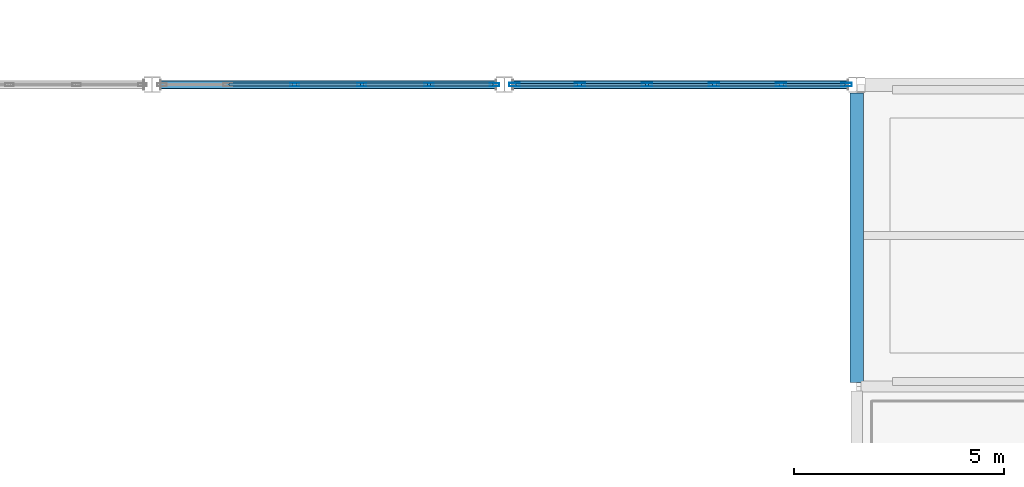
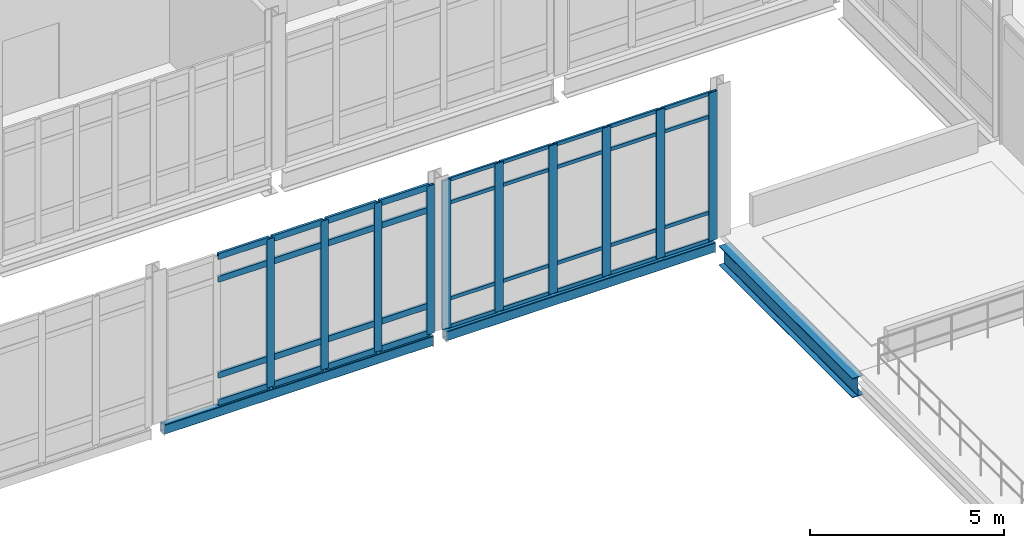
# One storey, part 25 of 186: 46 members, 3 beams, 2 elements without a shape of their own.
"""IFC4 building model written with IfcOpenShell, lengths in metres."""

from ifc_helpers import new_model, si_unit, direction, frame, origin, origin_2d, place, context, subcontext, project, spatial, hollow_rectangle, i_section, extrude, material, layer, layer_set, material_profile, profile_set, type_object, element, aggregate, save


model = new_model("IFC4")

# Units and contexts
model_context = context("Model", 3, precision=1e-05, world=origin(), true_north=direction((0.0, 1.0)))
body_context = subcontext(model_context, "Body", "Model", "MODEL_VIEW")
ifc_project = project(units=[si_unit("LENGTHUNIT", "METRE"), si_unit("AREAUNIT", "SQUARE_METRE"), si_unit("VOLUMEUNIT", "CUBIC_METRE"), si_unit("PLANEANGLEUNIT", "RADIAN"), si_unit("MASSUNIT", "GRAM", prefix="KILO")], contexts=[model_context])

# Site, building, storey
site_placement = place(None, origin())
site = spatial("IfcSite", under=ifc_project, at=site_placement, CompositionType="ELEMENT")
building_placement = place(site_placement, origin())
building = spatial("IfcBuilding", under=site, at=building_placement, Name="Calvrana Isthmian Art Gallery", CompositionType="ELEMENT")
storey_placement = place(building_placement, frame((0.0, 0.0, 5.39990234375)))
storey = spatial("IfcBuildingStorey", under=building, at=storey_placement, Name="L01", CompositionType="ELEMENT", Elevation=5.39990234375)

# Beams
ifc_material_1 = material(Name="Steel ASTM A992 Gr 50", Category="steel")
ifc_material_profile_1 = material_profile(ifc_material_1, i_section(OverallWidth=0.324951171875, OverallDepth=0.612060546875, WebThickness=0.0126953125, FlangeThickness=0.01904296875, FilletRadius=0.02197265625, at=origin_2d()), Name="W24X104")
ifc_profile_set_1 = profile_set([ifc_material_profile_1], Name="Steel ASTM A992 Gr 50")
beam_type_1 = type_object("IfcBeamType", Name="BM-G-W24X104", PredefinedType="BEAM", material=ifc_profile_set_1)
beam_1_placement = place(storey_placement, frame((63.60009765625, 14.501708984375, -0.55078125), z_axis=(0.0, 1.0, 0.0), x_axis=(-1.0, 0.0, 0.0)))
element("IfcBeam", 1, at=beam_1_placement, inside=storey, type_object=beam_type_1, Name="Girder Y L01 09/C-D", PredefinedType="BEAM", context=body_context, shape_type="SweptSolid", body=[
    extrude(i_section(OverallWidth=0.324951171875, OverallDepth=0.612060546875, WebThickness=0.0126953125, FlangeThickness=0.01904296875, FilletRadius=0.02197265625, at=origin_2d()), origin(), (0.0, 0.0, 1.0), 6.895263671875),
])
ifc_material_2 = material(Name="Steel ASTM A500 Gr C", Category="steel")
ifc_material_profile_2 = material_profile(ifc_material_2, hollow_rectangle(XDim=0.203125, YDim=0.3046875, WallThickness=0.0126953125, OuterFilletRadius=0.02490234375, at=origin_2d()), Name="HSS305X203X12.7")
ifc_profile_set_2 = profile_set([ifc_material_profile_2], Name="Steel ASTM A500 Gr C")
beam_type_2 = type_object("IfcBeamType", Name="BM-SP-HSS305", PredefinedType="SPANDREL", material=ifc_profile_set_2)
beam_2_placement = place(storey_placement, frame((47.00048828125, 21.60009765625, -0.349853515625), z_axis=(1.0, 0.0, 0.0), x_axis=(0.0, 1.0, 0.0)))
element("IfcBeam", 2, at=beam_2_placement, inside=storey, type_object=beam_type_2, Name="Foyer double-height spandrel L01 07-08/D", PredefinedType="SPANDREL", context=body_context, shape_type="SweptSolid", body=[
    extrude(hollow_rectangle(XDim=0.203125, YDim=0.3046875, WallThickness=0.0126953125, OuterFilletRadius=0.02490234375, at=origin_2d()), origin(), (0.0, 0.0, 1.0), 8.0),
])
beam_3_placement = place(storey_placement, frame((55.3994140625, 21.60009765625, -0.349853515625), z_axis=(1.0, 0.0, 0.0), x_axis=(0.0, 1.0, 0.0)))
element("IfcBeam", 3, at=beam_3_placement, inside=storey, type_object=beam_type_2, Name="Foyer double-height spandrel L01 08-09/D", PredefinedType="SPANDREL", context=body_context, shape_type="SweptSolid", body=[
    extrude(hollow_rectangle(XDim=0.203125, YDim=0.3046875, WallThickness=0.0126953125, OuterFilletRadius=0.02490234375, at=origin_2d()), origin(), (0.0, 0.0, 1.0), 7.99853515625),
])

# Curtain wall, members
ifc_material_3 = material(Name="Anodized bronze aluminium 6063-T6", Category="aluminium")
ifc_layer = layer(ifc_material_3, 0.179931640625, Name="Anodized bronze aluminium 6063-T6")
ifc_layer_set = layer_set([ifc_layer], Name="Anodized bronze aluminium 6063-T6")
curtain_wall_type = type_object("IfcCurtainWallType", Name="CW-STICK-080X47", PredefinedType="NOTDEFINED", material=ifc_layer_set)
curtain_wall_1_placement = place(storey_placement, origin())
curtain_wall_1 = element("IfcCurtainWall", 4, at=curtain_wall_1_placement, inside=storey, type_object=curtain_wall_type, Name="Curtain wall CW-004", PredefinedType="NOTDEFINED")
ifc_material_profile_3 = material_profile(ifc_material_3, hollow_rectangle(XDim=0.074951171875, YDim=0.219970703125, WallThickness=0.0048828125, at=origin_2d()), Name="CWM75X220")
ifc_profile_set_3 = profile_set([ifc_material_profile_3], Name="Anodized bronze aluminium 6063-T6")
member_type_1 = type_object("IfcMemberType", Name="CWM-CWM75X220", PredefinedType="MULLION", material=ifc_profile_set_3)
member_1_placement = place(storey_placement, frame((54.964599609375, 21.60009765625, -0.14990234375), z_axis=(0.0, 0.0, 1.0), x_axis=(0.0, -1.0, 0.0)))
member_1 = element("IfcMember", 5, at=member_1_placement, type_object=member_type_1, Name="CW-004 mullion 1", PredefinedType="MULLION", context=body_context, shape_type="SweptSolid", body=[
    extrude(hollow_rectangle(XDim=0.074951171875, YDim=0.219970703125, WallThickness=0.0048828125, at=origin_2d()), origin(), (0.0, 0.0, 1.0), 4.669921875),
])
member_2_placement = place(storey_placement, frame((53.401611328125, 21.60009765625, -0.14990234375), z_axis=(0.0, 0.0, 1.0), x_axis=(0.0, -1.0, 0.0)))
member_2 = element("IfcMember", 6, at=member_2_placement, type_object=member_type_1, Name="CW-004 mullion 2", PredefinedType="MULLION", context=body_context, shape_type="SweptSolid", body=[
    extrude(hollow_rectangle(XDim=0.074951171875, YDim=0.219970703125, WallThickness=0.0048828125, at=origin_2d()), origin(), (0.0, 0.0, 1.0), 4.669921875),
])
member_3_placement = place(storey_placement, frame((51.801025390625, 21.60009765625, -0.14990234375), z_axis=(0.0, 0.0, 1.0), x_axis=(0.0, -1.0, 0.0)))
member_3 = element("IfcMember", 7, at=member_3_placement, type_object=member_type_1, Name="CW-004 mullion 3", PredefinedType="MULLION", context=body_context, shape_type="SweptSolid", body=[
    extrude(hollow_rectangle(XDim=0.074951171875, YDim=0.219970703125, WallThickness=0.0048828125, at=origin_2d()), origin(), (0.0, 0.0, 1.0), 4.669921875),
])
member_4_placement = place(storey_placement, frame((50.200439453125, 21.60009765625, -0.14990234375), z_axis=(0.0, 0.0, 1.0), x_axis=(0.0, -1.0, 0.0)))
member_4 = element("IfcMember", 8, at=member_4_placement, type_object=member_type_1, Name="CW-004 mullion 4", PredefinedType="MULLION", context=body_context, shape_type="SweptSolid", body=[
    extrude(hollow_rectangle(XDim=0.074951171875, YDim=0.219970703125, WallThickness=0.0048828125, at=origin_2d()), origin(), (0.0, 0.0, 1.0), 4.669921875),
])

curtain_wall_2_placement = place(storey_placement, origin())
curtain_wall_2 = element("IfcCurtainWall", 9, at=curtain_wall_2_placement, inside=storey, type_object=curtain_wall_type, Name="Curtain wall CW-005", PredefinedType="NOTDEFINED")
ifc_material_profile_4 = material_profile(ifc_material_3, hollow_rectangle(XDim=0.080078125, YDim=0.25, WallThickness=0.005615234375, at=origin_2d()), Name="CWM80X250")
ifc_profile_set_4 = profile_set([ifc_material_profile_4], Name="Anodized bronze aluminium 6063-T6")
member_type_2 = type_object("IfcMemberType", Name="CWM-CWM80X250", PredefinedType="MULLION", material=ifc_profile_set_4)
member_5_placement = place(storey_placement, frame((63.363037109375, 21.60009765625, -0.14990234375), z_axis=(0.0, 0.0, 1.0), x_axis=(0.0, -1.0, 0.0)))
member_5 = element("IfcMember", 10, at=member_5_placement, type_object=member_type_2, Name="CW-005 mullion 1", PredefinedType="MULLION", context=body_context, shape_type="SweptSolid", body=[
    extrude(hollow_rectangle(XDim=0.080078125, YDim=0.25, WallThickness=0.005615234375, at=origin_2d()), origin(), (0.0, 0.0, 1.0), 4.669921875),
])
member_6_placement = place(storey_placement, frame((61.802001953125, 21.60009765625, -0.14990234375), z_axis=(0.0, 0.0, 1.0), x_axis=(0.0, -1.0, 0.0)))
member_6 = element("IfcMember", 11, at=member_6_placement, type_object=member_type_2, Name="CW-005 mullion 2", PredefinedType="MULLION", context=body_context, shape_type="SweptSolid", body=[
    extrude(hollow_rectangle(XDim=0.080078125, YDim=0.25, WallThickness=0.005615234375, at=origin_2d()), origin(), (0.0, 0.0, 1.0), 4.669921875),
])
member_7_placement = place(storey_placement, frame((60.200927734375, 21.60009765625, -0.14990234375), z_axis=(0.0, 0.0, 1.0), x_axis=(0.0, -1.0, 0.0)))
member_7 = element("IfcMember", 12, at=member_7_placement, type_object=member_type_2, Name="CW-005 mullion 3", PredefinedType="MULLION", context=body_context, shape_type="SweptSolid", body=[
    extrude(hollow_rectangle(XDim=0.080078125, YDim=0.25, WallThickness=0.005615234375, at=origin_2d()), origin(), (0.0, 0.0, 1.0), 4.669921875),
])
member_8_placement = place(storey_placement, frame((58.60009765625, 21.60009765625, -0.14990234375), z_axis=(0.0, 0.0, 1.0), x_axis=(0.0, -1.0, 0.0)))
member_8 = element("IfcMember", 13, at=member_8_placement, type_object=member_type_2, Name="CW-005 mullion 4", PredefinedType="MULLION", context=body_context, shape_type="SweptSolid", body=[
    extrude(hollow_rectangle(XDim=0.080078125, YDim=0.25, WallThickness=0.005615234375, at=origin_2d()), origin(), (0.0, 0.0, 1.0), 4.669921875),
])
member_9_placement = place(storey_placement, frame((56.9990234375, 21.60009765625, -0.14990234375), z_axis=(0.0, 0.0, 1.0), x_axis=(0.0, -1.0, 0.0)))
member_9 = element("IfcMember", 14, at=member_9_placement, type_object=member_type_2, Name="CW-005 mullion 5", PredefinedType="MULLION", context=body_context, shape_type="SweptSolid", body=[
    extrude(hollow_rectangle(XDim=0.080078125, YDim=0.25, WallThickness=0.005615234375, at=origin_2d()), origin(), (0.0, 0.0, 1.0), 4.669921875),
])
member_10_placement = place(storey_placement, frame((55.43798828125, 21.60009765625, -0.14990234375), z_axis=(0.0, 0.0, 1.0), x_axis=(0.0, -1.0, 0.0)))
member_10 = element("IfcMember", 15, at=member_10_placement, type_object=member_type_2, Name="CW-005 mullion 6", PredefinedType="MULLION", context=body_context, shape_type="SweptSolid", body=[
    extrude(hollow_rectangle(XDim=0.080078125, YDim=0.25, WallThickness=0.005615234375, at=origin_2d()), origin(), (0.0, 0.0, 1.0), 4.669921875),
])
ifc_material_profile_5 = material_profile(ifc_material_3, hollow_rectangle(XDim=0.06005859375, YDim=0.110107421875, WallThickness=0.00341796875, at=origin_2d()), Name="CWT60X110")
ifc_profile_set_5 = profile_set([ifc_material_profile_5], Name="Anodized bronze aluminium 6063-T6")
member_type_3 = type_object("IfcMemberType", Name="CWT-CWT60X110", PredefinedType="USERDEFINED", material=ifc_profile_set_5)
member_11_placement = place(storey_placement, frame((63.322998046875, 21.60009765625, -0.119873046875), z_axis=(-1.0, 0.0, 0.0), x_axis=(0.0, -1.0, 0.0)))
member_11 = element("IfcMember", 16, at=member_11_placement, type_object=member_type_3, Name="CW-005 transom 1.1", ObjectType="TRANSOM", PredefinedType="USERDEFINED", context=body_context, shape_type="SweptSolid", body=[
    extrude(hollow_rectangle(XDim=0.06005859375, YDim=0.110107421875, WallThickness=0.00341796875, at=origin_2d()), origin(), (0.0, 0.0, 1.0), 1.48095703125),
])
member_12_placement = place(storey_placement, frame((63.322998046875, 21.60009765625, 0.75), z_axis=(-1.0, 0.0, 0.0), x_axis=(0.0, -1.0, 0.0)))
member_12 = element("IfcMember", 17, at=member_12_placement, type_object=member_type_3, Name="CW-005 transom 1.2", ObjectType="TRANSOM", PredefinedType="USERDEFINED", context=body_context, shape_type="SweptSolid", body=[
    extrude(hollow_rectangle(XDim=0.06005859375, YDim=0.110107421875, WallThickness=0.00341796875, at=origin_2d()), origin(), (0.0, 0.0, 1.0), 1.48095703125),
])
member_13_placement = place(storey_placement, frame((63.322998046875, 21.60009765625, 3.77001953125), z_axis=(-1.0, 0.0, 0.0), x_axis=(0.0, -1.0, 0.0)))
member_13 = element("IfcMember", 18, at=member_13_placement, type_object=member_type_3, Name="CW-005 transom 1.3", ObjectType="TRANSOM", PredefinedType="USERDEFINED", context=body_context, shape_type="SweptSolid", body=[
    extrude(hollow_rectangle(XDim=0.06005859375, YDim=0.110107421875, WallThickness=0.00341796875, at=origin_2d()), origin(), (0.0, 0.0, 1.0), 1.48095703125),
])
member_14_placement = place(storey_placement, frame((63.322998046875, 21.60009765625, 4.489990234375), z_axis=(-1.0, 0.0, 0.0), x_axis=(0.0, -1.0, 0.0)))
member_14 = element("IfcMember", 19, at=member_14_placement, type_object=member_type_3, Name="CW-005 transom 1.4", ObjectType="TRANSOM", PredefinedType="USERDEFINED", context=body_context, shape_type="SweptSolid", body=[
    extrude(hollow_rectangle(XDim=0.06005859375, YDim=0.110107421875, WallThickness=0.00341796875, at=origin_2d()), origin(), (0.0, 0.0, 1.0), 1.48095703125),
])
member_15_placement = place(storey_placement, frame((61.761962890625, 21.60009765625, -0.119873046875), z_axis=(-1.0, 0.0, 0.0), x_axis=(0.0, -1.0, 0.0)))
member_15 = element("IfcMember", 20, at=member_15_placement, type_object=member_type_3, Name="CW-005 transom 2.1", ObjectType="TRANSOM", PredefinedType="USERDEFINED", context=body_context, shape_type="SweptSolid", body=[
    extrude(hollow_rectangle(XDim=0.06005859375, YDim=0.110107421875, WallThickness=0.00341796875, at=origin_2d()), origin(), (0.0, 0.0, 1.0), 1.52099609375),
])
member_16_placement = place(storey_placement, frame((61.761962890625, 21.60009765625, 0.75), z_axis=(-1.0, 0.0, 0.0), x_axis=(0.0, -1.0, 0.0)))
member_16 = element("IfcMember", 21, at=member_16_placement, type_object=member_type_3, Name="CW-005 transom 2.2", ObjectType="TRANSOM", PredefinedType="USERDEFINED", context=body_context, shape_type="SweptSolid", body=[
    extrude(hollow_rectangle(XDim=0.06005859375, YDim=0.110107421875, WallThickness=0.00341796875, at=origin_2d()), origin(), (0.0, 0.0, 1.0), 1.52099609375),
])
member_17_placement = place(storey_placement, frame((61.761962890625, 21.60009765625, 3.77001953125), z_axis=(-1.0, 0.0, 0.0), x_axis=(0.0, -1.0, 0.0)))
member_17 = element("IfcMember", 22, at=member_17_placement, type_object=member_type_3, Name="CW-005 transom 2.3", ObjectType="TRANSOM", PredefinedType="USERDEFINED", context=body_context, shape_type="SweptSolid", body=[
    extrude(hollow_rectangle(XDim=0.06005859375, YDim=0.110107421875, WallThickness=0.00341796875, at=origin_2d()), origin(), (0.0, 0.0, 1.0), 1.52099609375),
])
member_18_placement = place(storey_placement, frame((61.761962890625, 21.60009765625, 4.489990234375), z_axis=(-1.0, 0.0, 0.0), x_axis=(0.0, -1.0, 0.0)))
member_18 = element("IfcMember", 23, at=member_18_placement, type_object=member_type_3, Name="CW-005 transom 2.4", ObjectType="TRANSOM", PredefinedType="USERDEFINED", context=body_context, shape_type="SweptSolid", body=[
    extrude(hollow_rectangle(XDim=0.06005859375, YDim=0.110107421875, WallThickness=0.00341796875, at=origin_2d()), origin(), (0.0, 0.0, 1.0), 1.52099609375),
])
member_19_placement = place(storey_placement, frame((60.160888671875, 21.60009765625, -0.119873046875), z_axis=(-1.0, 0.0, 0.0), x_axis=(0.0, -1.0, 0.0)))
member_19 = element("IfcMember", 24, at=member_19_placement, type_object=member_type_3, Name="CW-005 transom 3.1", ObjectType="TRANSOM", PredefinedType="USERDEFINED", context=body_context, shape_type="SweptSolid", body=[
    extrude(hollow_rectangle(XDim=0.06005859375, YDim=0.110107421875, WallThickness=0.00341796875, at=origin_2d()), origin(), (0.0, 0.0, 1.0), 1.52099609375),
])
member_20_placement = place(storey_placement, frame((60.160888671875, 21.60009765625, 0.75), z_axis=(-1.0, 0.0, 0.0), x_axis=(0.0, -1.0, 0.0)))
member_20 = element("IfcMember", 25, at=member_20_placement, type_object=member_type_3, Name="CW-005 transom 3.2", ObjectType="TRANSOM", PredefinedType="USERDEFINED", context=body_context, shape_type="SweptSolid", body=[
    extrude(hollow_rectangle(XDim=0.06005859375, YDim=0.110107421875, WallThickness=0.00341796875, at=origin_2d()), origin(), (0.0, 0.0, 1.0), 1.52099609375),
])
member_21_placement = place(storey_placement, frame((60.160888671875, 21.60009765625, 3.77001953125), z_axis=(-1.0, 0.0, 0.0), x_axis=(0.0, -1.0, 0.0)))
member_21 = element("IfcMember", 26, at=member_21_placement, type_object=member_type_3, Name="CW-005 transom 3.3", ObjectType="TRANSOM", PredefinedType="USERDEFINED", context=body_context, shape_type="SweptSolid", body=[
    extrude(hollow_rectangle(XDim=0.06005859375, YDim=0.110107421875, WallThickness=0.00341796875, at=origin_2d()), origin(), (0.0, 0.0, 1.0), 1.52099609375),
])
member_22_placement = place(storey_placement, frame((60.160888671875, 21.60009765625, 4.489990234375), z_axis=(-1.0, 0.0, 0.0), x_axis=(0.0, -1.0, 0.0)))
member_22 = element("IfcMember", 27, at=member_22_placement, type_object=member_type_3, Name="CW-005 transom 3.4", ObjectType="TRANSOM", PredefinedType="USERDEFINED", context=body_context, shape_type="SweptSolid", body=[
    extrude(hollow_rectangle(XDim=0.06005859375, YDim=0.110107421875, WallThickness=0.00341796875, at=origin_2d()), origin(), (0.0, 0.0, 1.0), 1.52099609375),
])
member_23_placement = place(storey_placement, frame((58.56005859375, 21.60009765625, -0.119873046875), z_axis=(-1.0, 0.0, 0.0), x_axis=(0.0, -1.0, 0.0)))
member_23 = element("IfcMember", 28, at=member_23_placement, type_object=member_type_3, Name="CW-005 transom 4.1", ObjectType="TRANSOM", PredefinedType="USERDEFINED", context=body_context, shape_type="SweptSolid", body=[
    extrude(hollow_rectangle(XDim=0.06005859375, YDim=0.110107421875, WallThickness=0.00341796875, at=origin_2d()), origin(), (0.0, 0.0, 1.0), 1.52099609375),
])
member_24_placement = place(storey_placement, frame((58.56005859375, 21.60009765625, 0.75), z_axis=(-1.0, 0.0, 0.0), x_axis=(0.0, -1.0, 0.0)))
member_24 = element("IfcMember", 29, at=member_24_placement, type_object=member_type_3, Name="CW-005 transom 4.2", ObjectType="TRANSOM", PredefinedType="USERDEFINED", context=body_context, shape_type="SweptSolid", body=[
    extrude(hollow_rectangle(XDim=0.06005859375, YDim=0.110107421875, WallThickness=0.00341796875, at=origin_2d()), origin(), (0.0, 0.0, 1.0), 1.52099609375),
])
member_25_placement = place(storey_placement, frame((58.56005859375, 21.60009765625, 3.77001953125), z_axis=(-1.0, 0.0, 0.0), x_axis=(0.0, -1.0, 0.0)))
member_25 = element("IfcMember", 30, at=member_25_placement, type_object=member_type_3, Name="CW-005 transom 4.3", ObjectType="TRANSOM", PredefinedType="USERDEFINED", context=body_context, shape_type="SweptSolid", body=[
    extrude(hollow_rectangle(XDim=0.06005859375, YDim=0.110107421875, WallThickness=0.00341796875, at=origin_2d()), origin(), (0.0, 0.0, 1.0), 1.52099609375),
])
member_26_placement = place(storey_placement, frame((58.56005859375, 21.60009765625, 4.489990234375), z_axis=(-1.0, 0.0, 0.0), x_axis=(0.0, -1.0, 0.0)))
member_26 = element("IfcMember", 31, at=member_26_placement, type_object=member_type_3, Name="CW-005 transom 4.4", ObjectType="TRANSOM", PredefinedType="USERDEFINED", context=body_context, shape_type="SweptSolid", body=[
    extrude(hollow_rectangle(XDim=0.06005859375, YDim=0.110107421875, WallThickness=0.00341796875, at=origin_2d()), origin(), (0.0, 0.0, 1.0), 1.52099609375),
])
member_27_placement = place(storey_placement, frame((56.958984375, 21.60009765625, -0.119873046875), z_axis=(-1.0, 0.0, 0.0), x_axis=(0.0, -1.0, 0.0)))
member_27 = element("IfcMember", 32, at=member_27_placement, type_object=member_type_3, Name="CW-005 transom 5.1", ObjectType="TRANSOM", PredefinedType="USERDEFINED", context=body_context, shape_type="SweptSolid", body=[
    extrude(hollow_rectangle(XDim=0.06005859375, YDim=0.110107421875, WallThickness=0.00341796875, at=origin_2d()), origin(), (0.0, 0.0, 1.0), 1.48095703125),
])
member_28_placement = place(storey_placement, frame((56.958984375, 21.60009765625, 0.75), z_axis=(-1.0, 0.0, 0.0), x_axis=(0.0, -1.0, 0.0)))
member_28 = element("IfcMember", 33, at=member_28_placement, type_object=member_type_3, Name="CW-005 transom 5.2", ObjectType="TRANSOM", PredefinedType="USERDEFINED", context=body_context, shape_type="SweptSolid", body=[
    extrude(hollow_rectangle(XDim=0.06005859375, YDim=0.110107421875, WallThickness=0.00341796875, at=origin_2d()), origin(), (0.0, 0.0, 1.0), 1.48095703125),
])
member_29_placement = place(storey_placement, frame((56.958984375, 21.60009765625, 3.77001953125), z_axis=(-1.0, 0.0, 0.0), x_axis=(0.0, -1.0, 0.0)))
member_29 = element("IfcMember", 34, at=member_29_placement, type_object=member_type_3, Name="CW-005 transom 5.3", ObjectType="TRANSOM", PredefinedType="USERDEFINED", context=body_context, shape_type="SweptSolid", body=[
    extrude(hollow_rectangle(XDim=0.06005859375, YDim=0.110107421875, WallThickness=0.00341796875, at=origin_2d()), origin(), (0.0, 0.0, 1.0), 1.48095703125),
])
member_30_placement = place(storey_placement, frame((56.958984375, 21.60009765625, 4.489990234375), z_axis=(-1.0, 0.0, 0.0), x_axis=(0.0, -1.0, 0.0)))
member_30 = element("IfcMember", 35, at=member_30_placement, type_object=member_type_3, Name="CW-005 transom 5.4", ObjectType="TRANSOM", PredefinedType="USERDEFINED", context=body_context, shape_type="SweptSolid", body=[
    extrude(hollow_rectangle(XDim=0.06005859375, YDim=0.110107421875, WallThickness=0.00341796875, at=origin_2d()), origin(), (0.0, 0.0, 1.0), 1.48095703125),
])
aggregate(curtain_wall_2, [member_5, member_6, member_7, member_8, member_9, member_10, member_11, member_12, member_13, member_14, member_15, member_16, member_17, member_18, member_19, member_20, member_21, member_22, member_23, member_24, member_25, member_26, member_27, member_28, member_29, member_30])

# Member
ifc_material_profile_6 = material_profile(ifc_material_3, hollow_rectangle(XDim=0.074951171875, YDim=0.18994140625, WallThickness=0.00439453125, at=origin_2d()), Name="CWT75X190")
ifc_profile_set_6 = profile_set([ifc_material_profile_6], Name="Anodized bronze aluminium 6063-T6")
member_type_4 = type_object("IfcMemberType", Name="CWT-CWT75X190", PredefinedType="USERDEFINED", material=ifc_profile_set_6)
member_31_placement = place(storey_placement, frame((54.927001953125, 21.60009765625, -0.1123046875), z_axis=(-1.0, 0.0, 0.0), x_axis=(0.0, -1.0, 0.0)))
member_31 = element("IfcMember", 36, at=member_31_placement, type_object=member_type_4, Name="CW-004 transom 1.1", ObjectType="TRANSOM", PredefinedType="USERDEFINED", context=body_context, shape_type="SweptSolid", body=[
    extrude(hollow_rectangle(XDim=0.074951171875, YDim=0.18994140625, WallThickness=0.00439453125, at=origin_2d()), origin(), (0.0, 0.0, 1.0), 1.488037109375),
])

member_32_placement = place(storey_placement, frame((54.927001953125, 21.60009765625, 0.75), z_axis=(-1.0, 0.0, 0.0), x_axis=(0.0, -1.0, 0.0)))
member_32 = element("IfcMember", 37, at=member_32_placement, type_object=member_type_4, Name="CW-004 transom 1.2", ObjectType="TRANSOM", PredefinedType="USERDEFINED", context=body_context, shape_type="SweptSolid", body=[
    extrude(hollow_rectangle(XDim=0.074951171875, YDim=0.18994140625, WallThickness=0.00439453125, at=origin_2d()), origin(), (0.0, 0.0, 1.0), 1.488037109375),
])

member_33_placement = place(storey_placement, frame((54.927001953125, 21.60009765625, 3.77001953125), z_axis=(-1.0, 0.0, 0.0), x_axis=(0.0, -1.0, 0.0)))
member_33 = element("IfcMember", 38, at=member_33_placement, type_object=member_type_4, Name="CW-004 transom 1.3", ObjectType="TRANSOM", PredefinedType="USERDEFINED", context=body_context, shape_type="SweptSolid", body=[
    extrude(hollow_rectangle(XDim=0.074951171875, YDim=0.18994140625, WallThickness=0.00439453125, at=origin_2d()), origin(), (0.0, 0.0, 1.0), 1.488037109375),
])

member_34_placement = place(storey_placement, frame((54.927001953125, 21.60009765625, 4.482666015625), z_axis=(-1.0, 0.0, 0.0), x_axis=(0.0, -1.0, 0.0)))
member_34 = element("IfcMember", 39, at=member_34_placement, type_object=member_type_4, Name="CW-004 transom 1.4", ObjectType="TRANSOM", PredefinedType="USERDEFINED", context=body_context, shape_type="SweptSolid", body=[
    extrude(hollow_rectangle(XDim=0.074951171875, YDim=0.18994140625, WallThickness=0.00439453125, at=origin_2d()), origin(), (0.0, 0.0, 1.0), 1.488037109375),
])

member_35_placement = place(storey_placement, frame((53.364013671875, 21.60009765625, -0.1123046875), z_axis=(-1.0, 0.0, 0.0), x_axis=(0.0, -1.0, 0.0)))
member_35 = element("IfcMember", 40, at=member_35_placement, type_object=member_type_4, Name="CW-004 transom 2.1", ObjectType="TRANSOM", PredefinedType="USERDEFINED", context=body_context, shape_type="SweptSolid", body=[
    extrude(hollow_rectangle(XDim=0.074951171875, YDim=0.18994140625, WallThickness=0.00439453125, at=origin_2d()), origin(), (0.0, 0.0, 1.0), 1.525634765625),
])

member_36_placement = place(storey_placement, frame((53.364013671875, 21.60009765625, 0.75), z_axis=(-1.0, 0.0, 0.0), x_axis=(0.0, -1.0, 0.0)))
member_36 = element("IfcMember", 41, at=member_36_placement, type_object=member_type_4, Name="CW-004 transom 2.2", ObjectType="TRANSOM", PredefinedType="USERDEFINED", context=body_context, shape_type="SweptSolid", body=[
    extrude(hollow_rectangle(XDim=0.074951171875, YDim=0.18994140625, WallThickness=0.00439453125, at=origin_2d()), origin(), (0.0, 0.0, 1.0), 1.525634765625),
])

member_37_placement = place(storey_placement, frame((53.364013671875, 21.60009765625, 3.77001953125), z_axis=(-1.0, 0.0, 0.0), x_axis=(0.0, -1.0, 0.0)))
member_37 = element("IfcMember", 42, at=member_37_placement, type_object=member_type_4, Name="CW-004 transom 2.3", ObjectType="TRANSOM", PredefinedType="USERDEFINED", context=body_context, shape_type="SweptSolid", body=[
    extrude(hollow_rectangle(XDim=0.074951171875, YDim=0.18994140625, WallThickness=0.00439453125, at=origin_2d()), origin(), (0.0, 0.0, 1.0), 1.525634765625),
])

member_38_placement = place(storey_placement, frame((53.364013671875, 21.60009765625, 4.482666015625), z_axis=(-1.0, 0.0, 0.0), x_axis=(0.0, -1.0, 0.0)))
member_38 = element("IfcMember", 43, at=member_38_placement, type_object=member_type_4, Name="CW-004 transom 2.4", ObjectType="TRANSOM", PredefinedType="USERDEFINED", context=body_context, shape_type="SweptSolid", body=[
    extrude(hollow_rectangle(XDim=0.074951171875, YDim=0.18994140625, WallThickness=0.00439453125, at=origin_2d()), origin(), (0.0, 0.0, 1.0), 1.525634765625),
])

member_39_placement = place(storey_placement, frame((51.763427734375, 21.60009765625, -0.1123046875), z_axis=(-1.0, 0.0, 0.0), x_axis=(0.0, -1.0, 0.0)))
member_39 = element("IfcMember", 44, at=member_39_placement, type_object=member_type_4, Name="CW-004 transom 3.1", ObjectType="TRANSOM", PredefinedType="USERDEFINED", context=body_context, shape_type="SweptSolid", body=[
    extrude(hollow_rectangle(XDim=0.074951171875, YDim=0.18994140625, WallThickness=0.00439453125, at=origin_2d()), origin(), (0.0, 0.0, 1.0), 1.525390625),
])

member_40_placement = place(storey_placement, frame((51.763427734375, 21.60009765625, 0.75), z_axis=(-1.0, 0.0, 0.0), x_axis=(0.0, -1.0, 0.0)))
member_40 = element("IfcMember", 45, at=member_40_placement, type_object=member_type_4, Name="CW-004 transom 3.2", ObjectType="TRANSOM", PredefinedType="USERDEFINED", context=body_context, shape_type="SweptSolid", body=[
    extrude(hollow_rectangle(XDim=0.074951171875, YDim=0.18994140625, WallThickness=0.00439453125, at=origin_2d()), origin(), (0.0, 0.0, 1.0), 1.525390625),
])

member_41_placement = place(storey_placement, frame((51.763427734375, 21.60009765625, 3.77001953125), z_axis=(-1.0, 0.0, 0.0), x_axis=(0.0, -1.0, 0.0)))
member_41 = element("IfcMember", 46, at=member_41_placement, type_object=member_type_4, Name="CW-004 transom 3.3", ObjectType="TRANSOM", PredefinedType="USERDEFINED", context=body_context, shape_type="SweptSolid", body=[
    extrude(hollow_rectangle(XDim=0.074951171875, YDim=0.18994140625, WallThickness=0.00439453125, at=origin_2d()), origin(), (0.0, 0.0, 1.0), 1.525390625),
])

member_42_placement = place(storey_placement, frame((51.763427734375, 21.60009765625, 4.482666015625), z_axis=(-1.0, 0.0, 0.0), x_axis=(0.0, -1.0, 0.0)))
member_42 = element("IfcMember", 47, at=member_42_placement, type_object=member_type_4, Name="CW-004 transom 3.4", ObjectType="TRANSOM", PredefinedType="USERDEFINED", context=body_context, shape_type="SweptSolid", body=[
    extrude(hollow_rectangle(XDim=0.074951171875, YDim=0.18994140625, WallThickness=0.00439453125, at=origin_2d()), origin(), (0.0, 0.0, 1.0), 1.525390625),
])

member_43_placement = place(storey_placement, frame((50.1630859375, 21.60009765625, -0.1123046875), z_axis=(-1.0, 0.0, 0.0), x_axis=(0.0, -1.0, 0.0)))
member_43 = element("IfcMember", 48, at=member_43_placement, type_object=member_type_4, Name="CW-004 transom 4.1", ObjectType="TRANSOM", PredefinedType="USERDEFINED", context=body_context, shape_type="SweptSolid", body=[
    extrude(hollow_rectangle(XDim=0.074951171875, YDim=0.18994140625, WallThickness=0.00439453125, at=origin_2d()), origin(), (0.0, 0.0, 1.0), 1.525634765625),
])

member_44_placement = place(storey_placement, frame((50.1630859375, 21.60009765625, 0.75), z_axis=(-1.0, 0.0, 0.0), x_axis=(0.0, -1.0, 0.0)))
member_44 = element("IfcMember", 49, at=member_44_placement, type_object=member_type_4, Name="CW-004 transom 4.2", ObjectType="TRANSOM", PredefinedType="USERDEFINED", context=body_context, shape_type="SweptSolid", body=[
    extrude(hollow_rectangle(XDim=0.074951171875, YDim=0.18994140625, WallThickness=0.00439453125, at=origin_2d()), origin(), (0.0, 0.0, 1.0), 1.525634765625),
])

member_45_placement = place(storey_placement, frame((50.1630859375, 21.60009765625, 3.77001953125), z_axis=(-1.0, 0.0, 0.0), x_axis=(0.0, -1.0, 0.0)))
member_45 = element("IfcMember", 50, at=member_45_placement, type_object=member_type_4, Name="CW-004 transom 4.3", ObjectType="TRANSOM", PredefinedType="USERDEFINED", context=body_context, shape_type="SweptSolid", body=[
    extrude(hollow_rectangle(XDim=0.074951171875, YDim=0.18994140625, WallThickness=0.00439453125, at=origin_2d()), origin(), (0.0, 0.0, 1.0), 1.525634765625),
])

member_46_placement = place(storey_placement, frame((50.1630859375, 21.60009765625, 4.482666015625), z_axis=(-1.0, 0.0, 0.0), x_axis=(0.0, -1.0, 0.0)))
member_46 = element("IfcMember", 51, at=member_46_placement, type_object=member_type_4, Name="CW-004 transom 4.4", ObjectType="TRANSOM", PredefinedType="USERDEFINED", context=body_context, shape_type="SweptSolid", body=[
    extrude(hollow_rectangle(XDim=0.074951171875, YDim=0.18994140625, WallThickness=0.00439453125, at=origin_2d()), origin(), (0.0, 0.0, 1.0), 1.525634765625),
])

aggregate(curtain_wall_1, [member_1, member_2, member_3, member_4, member_31, member_32, member_33, member_34, member_35, member_36, member_37, member_38, member_39, member_40, member_41, member_42, member_43, member_44, member_45, member_46])

save(model, "model.ifc")
